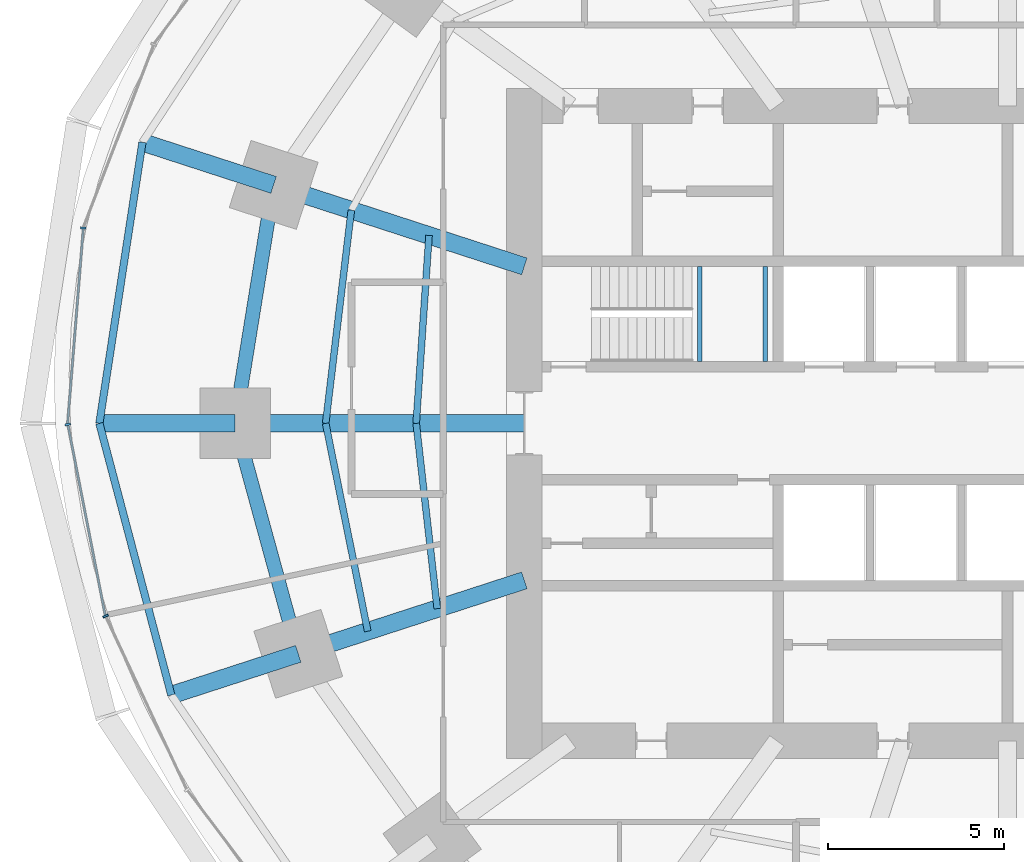
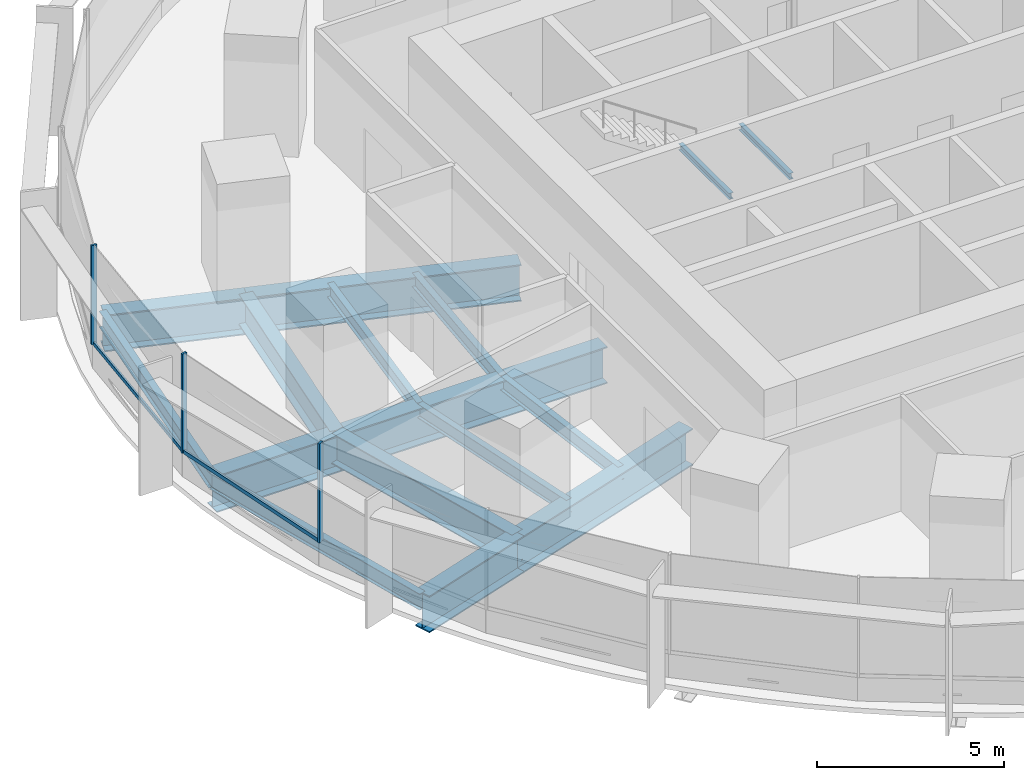
# One storey, part 4 of 15: 16 beams, 5 members, 2 elements without a shape of their own.
"""IFC4 building model written with IfcOpenShell, lengths in metres."""

from ifc_helpers import new_model, si_unit, direction, frame, origin, origin_2d, place, context, subcontext, project, spatial, rectangle, i_section, extrude, material, material_profile, profile_set, type_object, element, aggregate, save


model = new_model("IFC4")

# Units and contexts
model_context = context("Model", 3, precision=1e-05, world=origin(), true_north=direction((0.0, 1.0)))
body_context = subcontext(model_context, "Body", "Model", "MODEL_VIEW")
ifc_project = project(units=[si_unit("LENGTHUNIT", "METRE"), si_unit("AREAUNIT", "SQUARE_METRE"), si_unit("VOLUMEUNIT", "CUBIC_METRE"), si_unit("PLANEANGLEUNIT", "RADIAN"), si_unit("MASSUNIT", "GRAM", prefix="KILO")], contexts=[model_context])

# Site, building, storey
site_placement = place(None, origin())
site = spatial("IfcSite", under=ifc_project, at=site_placement, CompositionType="ELEMENT")
building_placement = place(site_placement, origin())
building = spatial("IfcBuilding", under=site, at=building_placement, Name="Marramba Exchange Tower", CompositionType="ELEMENT")
storey_placement = place(building_placement, frame((0.0, 0.0, 53.199951171875)))
storey = spatial("IfcBuildingStorey", under=building, at=storey_placement, Name="L12", CompositionType="ELEMENT", Elevation=53.199951171875)

# Beams
ifc_material_1 = material(Name="Steel AS/NZS 3679.2 grade 300", Category="steel")
ifc_material_profile_1 = material_profile(ifc_material_1, i_section(OverallWidth=0.5, OverallDepth=1.199951171875, WebThickness=0.01611328125, FlangeThickness=0.0400390625, at=origin_2d()), Name="1200WB455")
ifc_profile_set_1 = profile_set([ifc_material_profile_1], Name="Steel AS/NZS 3679.2 grade 300")
beam_type_1 = type_object("IfcBeamType", Name="Cantilever girder 1200WB455", PredefinedType="BEAM", material=ifc_profile_set_1)
beam_1_placement = place(storey_placement, frame((-20.808349609375, 6.760986328125, -0.760009765625), z_axis=(-0.951058833549, 0.309009862508, 0.0), x_axis=(-0.309009862508, -0.951058833549, 0.0)))
element("IfcBeam", 1, at=beam_1_placement, inside=storey, type_object=beam_type_1, Name="Cantilever girder L12 TC10", PredefinedType="BEAM", context=body_context, shape_type="SweptSolid", body=[
    extrude(i_section(OverallWidth=0.5, OverallDepth=1.199951171875, WebThickness=0.01611328125, FlangeThickness=0.0400390625, at=origin_2d()), origin(), (0.0, 0.0, 1.0), 3.91162109375),
])
beam_2_placement = place(storey_placement, frame((-21.89990234375, 0.0, -0.760009765625), z_axis=(-1.0, 0.0, 0.0), x_axis=(0.0, -1.0, 0.0)))
element("IfcBeam", 2, at=beam_2_placement, inside=storey, type_object=beam_type_1, Name="Cantilever girder L12 TC11", PredefinedType="BEAM", context=body_context, shape_type="SweptSolid", body=[
    extrude(i_section(OverallWidth=0.5, OverallDepth=1.199951171875, WebThickness=0.01611328125, FlangeThickness=0.0400390625, at=origin_2d()), origin(), (0.0, 0.0, 1.0), 3.85009765625),
])
beam_3_placement = place(storey_placement, frame((-20.109375, -6.533935546875, -0.760009765625), z_axis=(-0.951048759501, -0.309040866314, 0.0), x_axis=(0.309040866314, -0.951048759501, 0.0)))
element("IfcBeam", 3, at=beam_3_placement, inside=storey, type_object=beam_type_1, Name="Cantilever girder L12 TC12", PredefinedType="BEAM", context=body_context, shape_type="SweptSolid", body=[
    extrude(i_section(OverallWidth=0.5, OverallDepth=1.199951171875, WebThickness=0.01611328125, FlangeThickness=0.0400390625, at=origin_2d()), origin(), (0.0, 0.0, 1.0), 3.78564453125),
])
ifc_material_2 = material(Name="Steel AS/NZS 3679.1 grade 300", Category="steel")
ifc_material_profile_2 = material_profile(ifc_material_2, i_section(OverallWidth=0.18994140625, OverallDepth=0.4541015625, WebThickness=0.008544921875, FlangeThickness=0.0126953125, FilletRadius=0.011474609375, at=origin_2d()), Name="460UB67.1")
ifc_profile_set_2 = profile_set([ifc_material_profile_2], Name="Steel AS/NZS 3679.1 grade 300")
beam_type_2 = type_object("IfcBeamType", Name="Floor joist 460UB67.1", PredefinedType="JOIST", material=ifc_profile_set_2)
beam_4_placement = place(storey_placement, frame((-16.40283203125, 5.32958984375, -0.386962890625), z_axis=(-0.068096259546, -0.99767875563, 0.0), x_axis=(0.99767875563, -0.068096259546, 0.0)))
element("IfcBeam", 4, at=beam_4_placement, inside=storey, type_object=beam_type_2, Name="Joist L12 bay 10 row 1", PredefinedType="JOIST", context=body_context, shape_type="SweptSolid", body=[
    extrude(i_section(OverallWidth=0.18994140625, OverallDepth=0.4541015625, WebThickness=0.008544921875, FlangeThickness=0.0126953125, FilletRadius=0.011474609375, at=origin_2d()), origin(), (0.0, 0.0, 1.0), 5.342041015625),
])
beam_5_placement = place(storey_placement, frame((-18.60546875, 6.04541015625, -0.386962890625), z_axis=(-0.119523078538, -0.992831422597, 0.0), x_axis=(0.992831422597, -0.119523078538, 0.0)))
element("IfcBeam", 5, at=beam_5_placement, inside=storey, type_object=beam_type_2, Name="Joist L12 bay 10 row 2", PredefinedType="JOIST", context=body_context, shape_type="SweptSolid", body=[
    extrude(i_section(OverallWidth=0.18994140625, OverallDepth=0.4541015625, WebThickness=0.008544921875, FlangeThickness=0.0126953125, FilletRadius=0.011474609375, at=origin_2d()), origin(), (0.0, 0.0, 1.0), 6.089111328125),
])
beam_6_placement = place(storey_placement, frame((-16.7666015625, 0.0, -0.386962890625), z_axis=(0.112888968594, -0.993607609054, 0.0), x_axis=(0.993607609054, 0.112888968594, 0.0)))
element("IfcBeam", 6, at=beam_6_placement, inside=storey, type_object=beam_type_2, Name="Joist L12 bay 11 row 1", PredefinedType="JOIST", context=body_context, shape_type="SweptSolid", body=[
    extrude(i_section(OverallWidth=0.18994140625, OverallDepth=0.4541015625, WebThickness=0.008544921875, FlangeThickness=0.0126953125, FilletRadius=0.011474609375, at=origin_2d()), origin(), (0.0, 0.0, 1.0), 5.28759765625),
])
beam_7_placement = place(storey_placement, frame((-19.333251953125, 0.0, -0.386962890625), z_axis=(0.198489047047, -0.980103105904, 0.0), x_axis=(0.980103105904, 0.198489047047, 0.0)))
element("IfcBeam", 7, at=beam_7_placement, inside=storey, type_object=beam_type_2, Name="Joist L12 bay 11 row 2", PredefinedType="JOIST", context=body_context, shape_type="SweptSolid", body=[
    extrude(i_section(OverallWidth=0.18994140625, OverallDepth=0.4541015625, WebThickness=0.008544921875, FlangeThickness=0.0126953125, FilletRadius=0.011474609375, at=origin_2d()), origin(), (0.0, 0.0, 1.0), 6.013427734375),
])
ifc_material_profile_3 = material_profile(ifc_material_1, i_section(OverallWidth=0.5, OverallDepth=1.199951171875, WebThickness=0.01611328125, FlangeThickness=0.0400390625, at=origin_2d()), Name="1200WB455")
ifc_profile_set_3 = profile_set([ifc_material_profile_3], Name="Steel AS/NZS 3679.2 grade 300")
beam_type_3 = type_object("IfcBeamType", Name="Radial girder 1200WB455", PredefinedType="BEAM", material=ifc_profile_set_3)
beam_8_placement = place(storey_placement, frame((-13.699951171875, 4.451416015625, -0.760009765625), z_axis=(-0.951059990189, 0.309006302624, 0.0), x_axis=(-0.309006302624, -0.951059990189, 0.0)))
element("IfcBeam", 8, at=beam_8_placement, inside=storey, type_object=beam_type_3, Name="Radial girder L12 TC10", PredefinedType="BEAM", context=body_context, shape_type="SweptSolid", body=[
    extrude(i_section(OverallWidth=0.5, OverallDepth=1.199951171875, WebThickness=0.01611328125, FlangeThickness=0.0400390625, at=origin_2d()), origin(), (0.0, 0.0, 1.0), 7.47412109375),
])
beam_9_placement = place(storey_placement, frame((-13.699951171875, 0.0, -0.760009765625), z_axis=(-1.0, 0.0, 0.0), x_axis=(0.0, -1.0, 0.0)))
element("IfcBeam", 9, at=beam_9_placement, inside=storey, type_object=beam_type_3, Name="Radial girder L12 TC11", PredefinedType="BEAM", context=body_context, shape_type="SweptSolid", body=[
    extrude(i_section(OverallWidth=0.5, OverallDepth=1.199951171875, WebThickness=0.01611328125, FlangeThickness=0.0400390625, at=origin_2d()), origin(), (0.0, 0.0, 1.0), 8.199951171875),
])
beam_10_placement = place(storey_placement, frame((-13.699951171875, -4.451416015625, -0.760009765625), z_axis=(-0.951057759669, -0.309013167637, 0.0), x_axis=(0.309013167637, -0.951057759669, 0.0)))
element("IfcBeam", 10, at=beam_10_placement, inside=storey, type_object=beam_type_3, Name="Radial girder L12 TC12", PredefinedType="BEAM", context=body_context, shape_type="SweptSolid", body=[
    extrude(i_section(OverallWidth=0.5, OverallDepth=1.199951171875, WebThickness=0.01611328125, FlangeThickness=0.0400390625, at=origin_2d()), origin(), (0.0, 0.0, 1.0), 6.7392578125),
])
ifc_material_profile_4 = material_profile(ifc_material_1, i_section(OverallWidth=0.39990234375, OverallDepth=1.0, WebThickness=0.01611328125, FlangeThickness=0.031982421875, at=origin_2d()), Name="1000WB322")
ifc_profile_set_4 = profile_set([ifc_material_profile_4], Name="Steel AS/NZS 3679.2 grade 300")
beam_type_4 = type_object("IfcBeamType", Name="Ring beam 1000WB322", PredefinedType="SPANDREL", material=ifc_profile_set_4)
beam_11_placement = place(storey_placement, frame((-20.808349609375, 6.760986328125, -0.659912109375), z_axis=(-0.159384865399, -0.987216523708, 0.0), x_axis=(0.987216523708, -0.159384865399, 0.0)))
element("IfcBeam", 11, at=beam_11_placement, inside=storey, type_object=beam_type_4, Name="Ring beam L12 TC10-TC11", PredefinedType="SPANDREL", context=body_context, shape_type="SweptSolid", body=[
    extrude(i_section(OverallWidth=0.39990234375, OverallDepth=1.0, WebThickness=0.01611328125, FlangeThickness=0.031982421875, at=origin_2d()), origin(), (0.0, 0.0, 1.0), 6.8486328125),
])
beam_12_placement = place(storey_placement, frame((-21.89990234375, 0.0, -0.659912109375), z_axis=(0.264291166956, -0.964442937176, 0.0), x_axis=(0.964442937176, 0.264291166956, 0.0)))
element("IfcBeam", 12, at=beam_12_placement, inside=storey, type_object=beam_type_4, Name="Ring beam L12 TC11-TC12", PredefinedType="SPANDREL", context=body_context, shape_type="SweptSolid", body=[
    extrude(i_section(OverallWidth=0.39990234375, OverallDepth=1.0, WebThickness=0.01611328125, FlangeThickness=0.031982421875, at=origin_2d()), origin(), (0.0, 0.0, 1.0), 6.77490234375),
])
ifc_material_profile_5 = material_profile(ifc_material_2, i_section(OverallWidth=0.208984375, OverallDepth=0.528076171875, WebThickness=0.009521484375, FlangeThickness=0.01318359375, FilletRadius=0.013916015625, at=origin_2d()), Name="530UB82.0")
ifc_profile_set_5 = profile_set([ifc_material_profile_5], Name="Steel AS/NZS 3679.1 grade 300")
beam_type_5 = type_object("IfcBeamType", Name="Slab edge beam 530UB82.0", PredefinedType="SPANDREL", material=ifc_profile_set_5)
beam_13_placement = place(storey_placement, frame((-24.528564453125, 7.9697265625, -0.424072265625), z_axis=(-0.151490591645, -0.988458699513, 0.0), x_axis=(0.988458699513, -0.151490591645, 0.0)))
element("IfcBeam", 13, at=beam_13_placement, inside=storey, type_object=beam_type_5, Name="Slab edge beam L12 TC10-TC11", PredefinedType="SPANDREL", context=body_context, shape_type="SweptSolid", body=[
    extrude(i_section(OverallWidth=0.208984375, OverallDepth=0.528076171875, WebThickness=0.009521484375, FlangeThickness=0.01318359375, FilletRadius=0.013916015625, at=origin_2d()), origin(), (0.0, 0.0, 1.0), 8.062744140625),
])
beam_14_placement = place(storey_placement, frame((-25.75, 0.0, -0.424072265625), z_axis=(0.25601296674, -0.966673347549, 0.0), x_axis=(0.966673347549, 0.25601296674, 0.0)))
element("IfcBeam", 14, at=beam_14_placement, inside=storey, type_object=beam_type_5, Name="Slab edge beam L12 TC11-TC12", PredefinedType="SPANDREL", context=body_context, shape_type="SweptSolid", body=[
    extrude(i_section(OverallWidth=0.208984375, OverallDepth=0.528076171875, WebThickness=0.009521484375, FlangeThickness=0.01318359375, FilletRadius=0.013916015625, at=origin_2d()), origin(), (0.0, 0.0, 1.0), 7.969482421875),
])
ifc_material_profile_6 = material_profile(ifc_material_2, i_section(OverallWidth=0.133056640625, OverallDepth=0.202880859375, WebThickness=0.005859375, FlangeThickness=0.0078125, FilletRadius=0.0087890625, at=origin_2d()), Name="200UB25.4")
ifc_profile_set_6 = profile_set([ifc_material_profile_6], Name="Steel AS/NZS 3679.1 grade 300")
beam_type_6 = type_object("IfcBeamType", Name="Stair landing beam 200UB25.4", PredefinedType="BEAM", material=ifc_profile_set_6)
for number, where, z_axis, x_axis, name in (
    (15, (-8.723388671875, 1.75, 1.798583984375), (0.0, 1.0, 0.0), (-1.0, 0.0, 0.0), "Stair landing beam SLB1 ST1 L12 1"),
    (16, (-6.866455078125, 1.75, 1.798583984375), (0.0, 1.0, 0.0), (-1.0, 0.0, 0.0), "Stair landing beam SLB1 ST1 L12 2"),
):
    element("IfcBeam", number, at=place(storey_placement, frame(where, z_axis=z_axis, x_axis=x_axis)), inside=storey, type_object=beam_type_6, Name=name, PredefinedType="BEAM", context=body_context, shape_type="SweptSolid", body=[
        extrude(i_section(OverallWidth=0.133056640625, OverallDepth=0.202880859375, WebThickness=0.005859375, FlangeThickness=0.0078125, FilletRadius=0.0087890625, at=origin_2d()), origin(), (0.0, 0.0, 1.0), 2.699951171875),
    ])

# Curtain wall, member
ifc_material_3 = material(Name="Aluminium framing, bronze anodised", Category="aluminium")
curtain_wall_type = type_object("IfcCurtainWallType", Name="Trading floor ribbon curtain wall", PredefinedType="USERDEFINED", material=ifc_material_3)
curtain_wall_1_placement = place(storey_placement, origin())
curtain_wall_1 = element("IfcCurtainWall", 17, at=curtain_wall_1_placement, inside=storey, type_object=curtain_wall_type, Name="Curtain wall CW3 L12 F11-F15", ObjectType="RIBBON CURTAIN WALL", PredefinedType="USERDEFINED")
ifc_material_4 = material(Name="Aluminium mullion, bronze anodised", Category="aluminium")
ifc_material_profile_7 = material_profile(ifc_material_4, rectangle(XDim=0.159912109375, YDim=0.06005859375, at=origin_2d()), Name="CW3 mullion 60x160")
ifc_profile_set_7 = profile_set([ifc_material_profile_7], Name="Aluminium mullion, bronze anodised")
member_type_1 = type_object("IfcMemberType", Name="Trading floor ribbon curtain wall mullion", PredefinedType="MULLION", material=ifc_profile_set_7)
member_1_placement = place(storey_placement, frame((-26.203857421875, 5.539306640625, 0.800048828125), z_axis=(0.0, 0.0, 1.0), x_axis=(0.996772736434, -0.080275225953, 0.0)))
member_1 = element("IfcMember", 18, at=member_1_placement, type_object=member_type_1, Name="CW3 mullion 1", PredefinedType="MULLION", context=body_context, shape_type="SweptSolid", body=[
    extrude(rectangle(XDim=0.159912109375, YDim=0.06005859375, at=origin_2d()), origin(), (0.0, 0.0, 1.0), 3.239990234375),
])

# Curtain wall, members
curtain_wall_2_placement = place(storey_placement, origin())
curtain_wall_2 = element("IfcCurtainWall", 19, at=curtain_wall_2_placement, inside=storey, type_object=curtain_wall_type, Name="Curtain wall CW3 L12 F16-F20", ObjectType="RIBBON CURTAIN WALL", PredefinedType="USERDEFINED")
member_2_placement = place(storey_placement, frame((-26.644287109375, -0.029541015625, 0.800048828125), z_axis=(0.0, 0.0, 1.0), x_axis=(0.981346261612, 0.1922485756, 0.0)))
member_2 = element("IfcMember", 20, at=member_2_placement, type_object=member_type_1, Name="CW3 mullion 1", PredefinedType="MULLION", context=body_context, shape_type="SweptSolid", body=[
    extrude(rectangle(XDim=0.159912109375, YDim=0.06005859375, at=origin_2d()), origin(), (0.0, 0.0, 1.0), 3.239990234375),
])
member_3_placement = place(storey_placement, frame((-25.572021484375, -5.46533203125, 0.800048828125), z_axis=(0.0, 0.0, 1.0), x_axis=(0.905906758768, 0.423477206492, 0.0)))
member_3 = element("IfcMember", 21, at=member_3_placement, type_object=member_type_1, Name="CW3 mullion 1", PredefinedType="MULLION", context=body_context, shape_type="SweptSolid", body=[
    extrude(rectangle(XDim=0.159912109375, YDim=0.06005859375, at=origin_2d()), origin(), (0.0, 0.0, 1.0), 3.239990234375),
])

# Member
ifc_material_5 = material(Name="Aluminium transom, bronze anodised", Category="aluminium")
ifc_material_profile_8 = material_profile(ifc_material_5, rectangle(XDim=0.06005859375, YDim=0.1201171875, at=origin_2d()), Name="CW3 transom 60x120")
ifc_profile_set_8 = profile_set([ifc_material_profile_8], Name="Aluminium transom, bronze anodised")
member_type_2 = type_object("IfcMemberType", Name="Trading floor ribbon curtain wall transom", PredefinedType="USERDEFINED", material=ifc_profile_set_8)
member_4_placement = place(storey_placement, frame((-26.206298828125, 5.509521484375, 0.830078125), z_axis=(-0.080256075865, -0.996774278504, 0.0), x_axis=(0.996774278504, -0.080256075865, 0.0)))
member_4 = element("IfcMember", 22, at=member_4_placement, type_object=member_type_2, Name="CW3 sill transom", ObjectType="TRANSOM", PredefinedType="USERDEFINED", context=body_context, shape_type="SweptSolid", body=[
    extrude(rectangle(XDim=0.06005859375, YDim=0.1201171875, at=origin_2d()), origin(), (0.0, 0.0, 1.0), 5.52734375),
])

aggregate(curtain_wall_1, [member_1, member_4])

member_5_placement = place(storey_placement, frame((-26.638427734375, -0.058837890625, 0.830078125), z_axis=(0.192226081646, -0.981350667975, 0.0), x_axis=(0.981350667975, 0.192226081646, 0.0)))
member_5 = element("IfcMember", 23, at=member_5_placement, type_object=member_type_2, Name="CW3 sill transom", ObjectType="TRANSOM", PredefinedType="USERDEFINED", context=body_context, shape_type="SweptSolid", body=[
    extrude(rectangle(XDim=0.06005859375, YDim=0.1201171875, at=origin_2d()), origin(), (0.0, 0.0, 1.0), 5.481689453125),
])

aggregate(curtain_wall_2, [member_2, member_5, member_3])

save(model, "model.ifc")
